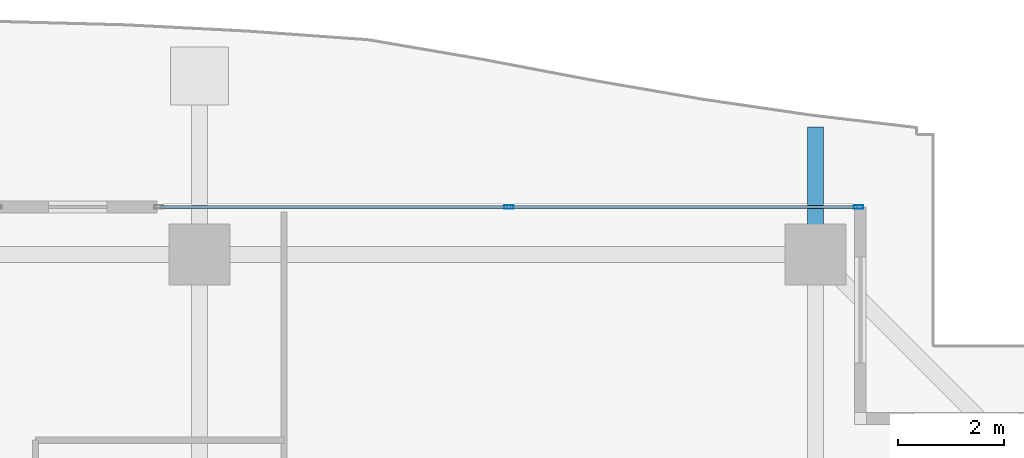
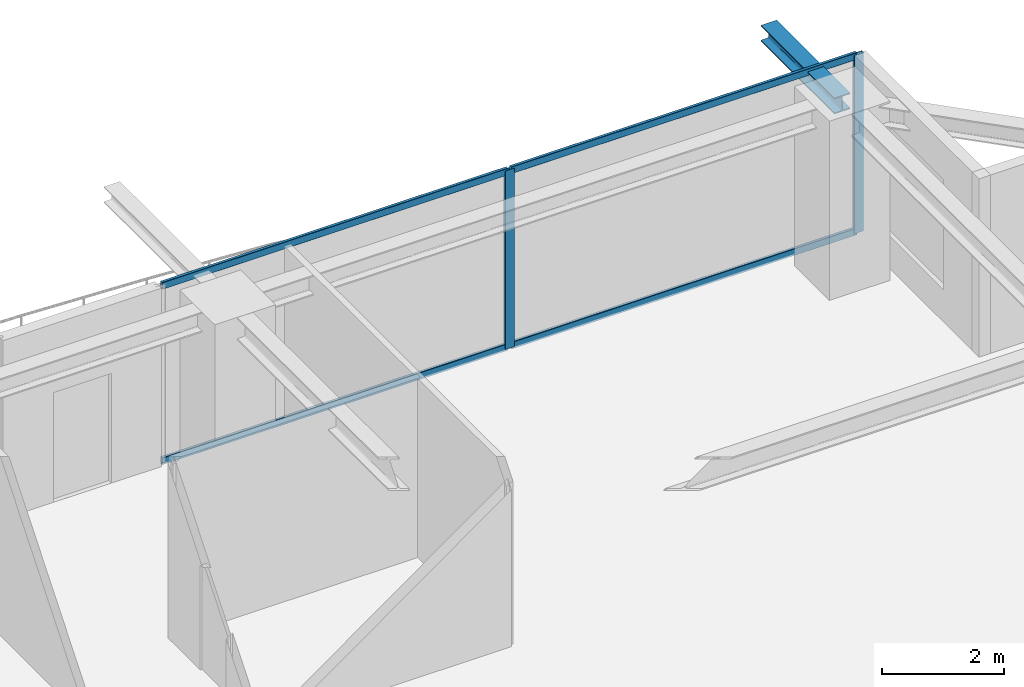
# One storey, part 24 of 38: 6 members, 1 beam, 1 element without a shape of its own.
"""IFC4 building model written with IfcOpenShell, lengths in metres."""

from ifc_helpers import new_model, si_unit, direction, frame, origin, origin_2d, place, context, subcontext, project, spatial, hollow_rectangle, i_section, extrude, source, transform, mapped, material, layer, layer_set, material_profile, profile_set, type_object, element, aggregate, save


model = new_model("IFC4")

# Units and contexts
model_context = context("Model", 3, precision=1e-05, world=origin(), true_north=direction((0.0, 1.0)))
body_context = subcontext(model_context, "Body", "Model", "MODEL_VIEW")
ifc_project = project(units=[si_unit("LENGTHUNIT", "METRE"), si_unit("AREAUNIT", "SQUARE_METRE"), si_unit("VOLUMEUNIT", "CUBIC_METRE"), si_unit("PLANEANGLEUNIT", "RADIAN"), si_unit("MASSUNIT", "GRAM", prefix="KILO")], contexts=[model_context])

# Site, building, storey
site_placement = place(None, origin())
site = spatial("IfcSite", under=ifc_project, at=site_placement, CompositionType="ELEMENT")
building_placement = place(site_placement, origin())
building = spatial("IfcBuilding", under=site, at=building_placement, Name="Serunith Strait Residences", CompositionType="ELEMENT")
storey_placement = place(building_placement, frame((0.0, 0.0, 264.35009765625)))
storey = spatial("IfcBuildingStorey", under=building, at=storey_placement, Name="L66", CompositionType="ELEMENT", Elevation=264.35009765625)

# Beam
ifc_material_1 = material(Name="Steel S355J2", Category="steel")
ifc_material_profile_1 = material_profile(ifc_material_1, i_section(OverallWidth=0.300048828125, OverallDepth=0.320068359375, WebThickness=0.011474609375, FlangeThickness=0.0205078125, FilletRadius=0.027099609375, at=origin_2d()), Name="HEB 320")
ifc_profile_set_1 = profile_set([ifc_material_profile_1], Name="Steel S355J2")
beam_type = type_object("IfcBeamType", Name="BM-HEB320", PredefinedType="BEAM", material=ifc_profile_set_1)
shared_shape_1 = source(origin(), body_context, "Body", "SweptSolid", [
    extrude(i_section(OverallWidth=0.300048828125, OverallDepth=0.320068359375, WebThickness=0.011474609375, FlangeThickness=0.0205078125, FilletRadius=0.027099609375, at=origin_2d()), origin(), (0.0, 0.0, 1.0), 2.40966796875),
])
beam_placement = place(storey_placement, frame((48.550048828125, 48.300048828125, 3.39697265625), z_axis=(0.0, 1.0, 0.0), x_axis=(-1.0, 0.0, 0.0)))
element("IfcBeam", 1, at=beam_placement, inside=storey, type_object=beam_type, Name="L67 Cantilevered Balcony Rib TC-N4", PredefinedType="BEAM", context=body_context, shape_type="MappedRepresentation", body=[
    mapped(shared_shape_1, transform((0.0, 0.0, 0.0), scale=1.0)),
])

# Curtain wall, members
ifc_material_2 = material(Name="Pale-Champagne Anodised Aluminium", Category="aluminium")
ifc_layer = layer(ifc_material_2, 0.199951171875, Name="Pale-Champagne Anodised Aluminium")
ifc_layer_set = layer_set([ifc_layer], Name="Pale-Champagne Anodised Aluminium")
curtain_wall_type = type_object("IfcCurtainWallType", Name="CW-SYS4", PredefinedType="NOTDEFINED", material=ifc_layer_set)
curtain_wall_placement = place(storey_placement, origin())
curtain_wall = element("IfcCurtainWall", 2, at=curtain_wall_placement, inside=storey, type_object=curtain_wall_type, Name="L66 N Unitised Fritted Curtain Wall", PredefinedType="NOTDEFINED")
ifc_material_profile_2 = material_profile(ifc_material_2, hollow_rectangle(XDim=0.06494140625, YDim=0.179931640625, WallThickness=0.00341796875, InnerFilletRadius=0.00537109375, OuterFilletRadius=0.0087890625, at=origin_2d()), Name="ALU 180x65x3.5")
ifc_profile_set_2 = profile_set([ifc_material_profile_2], Name="Pale-Champagne Anodised Aluminium")
member_type_1 = type_object("IfcMemberType", Name="CW-SYS4-MULL", PredefinedType="MULLION", material=ifc_profile_set_2)
shared_shape_2 = source(origin(), body_context, "Body", "SweptSolid", [
    extrude(hollow_rectangle(XDim=0.06494140625, YDim=0.179931640625, WallThickness=0.00341796875, InnerFilletRadius=0.00537109375, OuterFilletRadius=0.0087890625, at=origin_2d()), origin(), (0.0, 0.0, 1.0), 3.574951171875),
])
member_1_placement = place(storey_placement, frame((49.367431640625, 49.199951171875, 0.0), z_axis=(0.0, 0.0, 1.0), x_axis=(0.0, -1.0, 0.0)))
member_1 = element("IfcMember", 3, at=member_1_placement, type_object=member_type_1, Name="CW-4 mullion 1", PredefinedType="MULLION", context=body_context, shape_type="MappedRepresentation", body=[
    mapped(shared_shape_2, transform((0.0, 0.0, 0.0), scale=1.0)),
])
member_2_placement = place(storey_placement, frame((42.75, 49.199951171875, 0.0), z_axis=(0.0, 0.0, 1.0), x_axis=(0.0, -1.0, 0.0)))
member_2 = element("IfcMember", 4, at=member_2_placement, type_object=member_type_1, Name="CW-4 mullion 2", PredefinedType="MULLION", context=body_context, shape_type="MappedRepresentation", body=[
    mapped(shared_shape_2, transform((0.0, 0.0, 0.0), scale=1.0)),
])
ifc_material_profile_3 = material_profile(ifc_material_2, hollow_rectangle(XDim=0.06005859375, YDim=0.139892578125, WallThickness=0.00341796875, InnerFilletRadius=0.00537109375, OuterFilletRadius=0.0087890625, at=origin_2d()), Name="ALU 140x60x3.5")
ifc_profile_set_3 = profile_set([ifc_material_profile_3], Name="Pale-Champagne Anodised Aluminium")
member_type_2 = type_object("IfcMemberType", Name="CW-SYS4-TRAN", PredefinedType="USERDEFINED", material=ifc_profile_set_3)
shared_shape_3 = source(origin(), body_context, "Body", "SweptSolid", [
    extrude(hollow_rectangle(XDim=0.06005859375, YDim=0.139892578125, WallThickness=0.00341796875, InnerFilletRadius=0.00537109375, OuterFilletRadius=0.0087890625, at=origin_2d()), origin(), (0.0, 0.0, 1.0), 6.552490234375),
])
member_3_placement = place(storey_placement, frame((49.3349609375, 49.199951171875, 0.02978515625), z_axis=(-1.0, 0.0, 0.0), x_axis=(0.0, -1.0, 0.0)))
member_3 = element("IfcMember", 5, at=member_3_placement, type_object=member_type_2, Name="CW-4 transom 1.1", ObjectType="TRANSOM", PredefinedType="USERDEFINED", context=body_context, shape_type="MappedRepresentation", body=[
    mapped(shared_shape_3, transform((0.0, 0.0, 0.0), scale=1.0)),
])
member_4_placement = place(storey_placement, frame((49.3349609375, 49.199951171875, 3.544921875), z_axis=(-1.0, 0.0, 0.0), x_axis=(0.0, -1.0, 0.0)))
member_4 = element("IfcMember", 6, at=member_4_placement, type_object=member_type_2, Name="CW-4 transom 1.2", ObjectType="TRANSOM", PredefinedType="USERDEFINED", context=body_context, shape_type="MappedRepresentation", body=[
    mapped(shared_shape_3, transform((0.0, 0.0, 0.0), scale=1.0)),
])
member_5_placement = place(storey_placement, frame((42.717529296875, 49.199951171875, 0.02978515625), z_axis=(-1.0, 0.0, 0.0), x_axis=(0.0, -1.0, 0.0)))
member_5 = element("IfcMember", 7, at=member_5_placement, type_object=member_type_2, Name="CW-4 transom 2.1", ObjectType="TRANSOM", PredefinedType="USERDEFINED", context=body_context, shape_type="MappedRepresentation", body=[
    mapped(shared_shape_3, transform((0.0, 0.0, 0.0), scale=1.0)),
])
member_6_placement = place(storey_placement, frame((42.717529296875, 49.199951171875, 3.544921875), z_axis=(-1.0, 0.0, 0.0), x_axis=(0.0, -1.0, 0.0)))
member_6 = element("IfcMember", 8, at=member_6_placement, type_object=member_type_2, Name="CW-4 transom 2.2", ObjectType="TRANSOM", PredefinedType="USERDEFINED", context=body_context, shape_type="MappedRepresentation", body=[
    mapped(shared_shape_3, transform((0.0, 0.0, 0.0), scale=1.0)),
])
aggregate(curtain_wall, [member_1, member_2, member_3, member_4, member_5, member_6])

save(model, "model.ifc")
